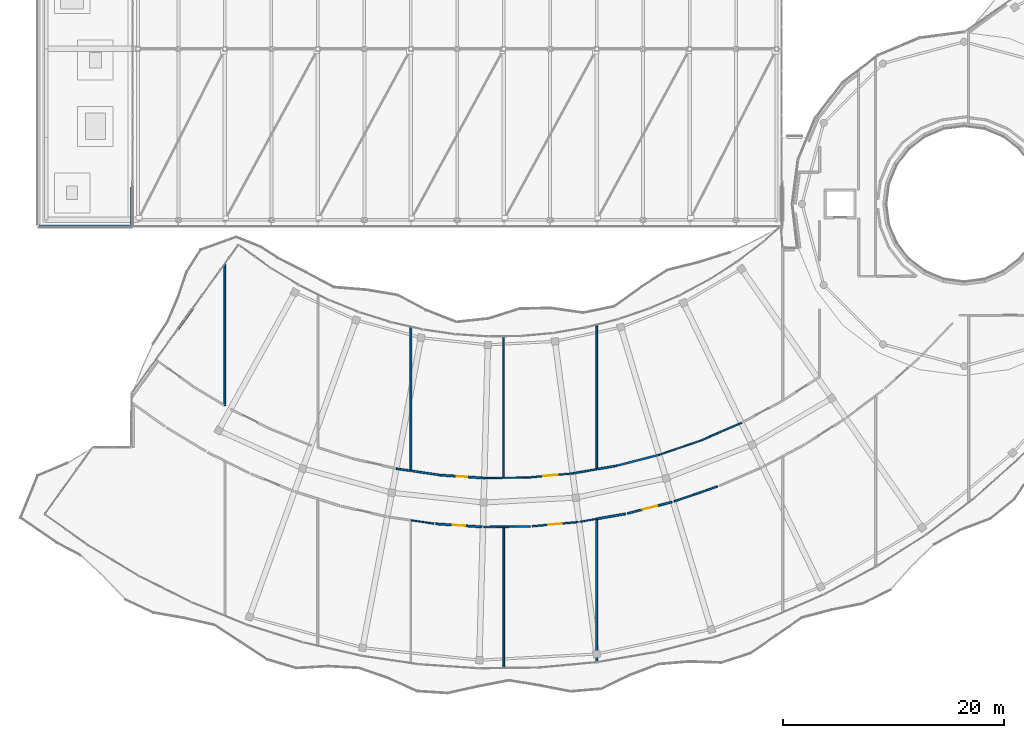
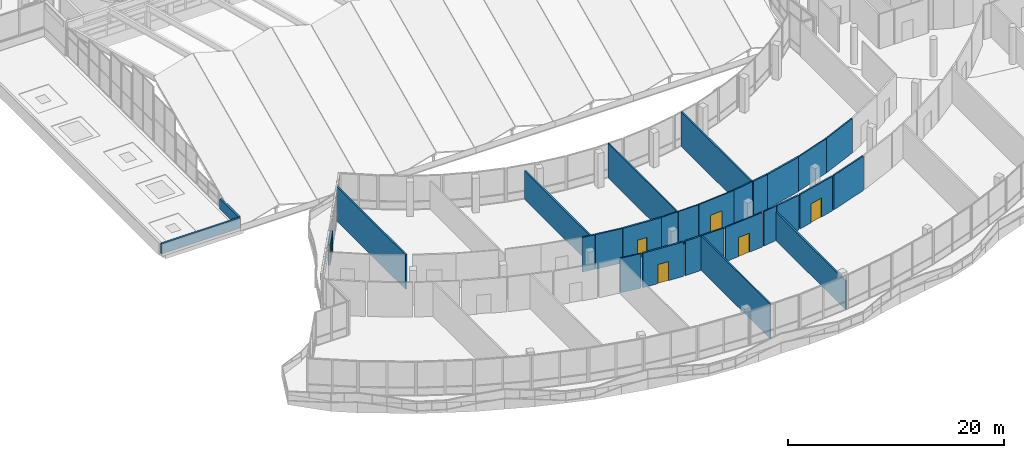
# One storey, part 160 of 184: 29 walls, 6 doors, 6 openings.
"""IFC4 building model written with IfcOpenShell, lengths in metres."""

from ifc_helpers import new_model, si_unit, direction, frame, frame_2d, origin, place, context, subcontext, project, spatial, rectangle, extrude, material, layer, layer_set, type_object, element, fill, save


model = new_model("IFC4")

# Units and contexts
model_context = context("Model", 3, precision=1e-05, world=origin(), true_north=direction((0.0, 1.0)))
body_context = subcontext(model_context, "Body", "Model", "MODEL_VIEW")
ifc_project = project(units=[si_unit("LENGTHUNIT", "METRE"), si_unit("AREAUNIT", "SQUARE_METRE"), si_unit("VOLUMEUNIT", "CUBIC_METRE"), si_unit("PLANEANGLEUNIT", "RADIAN"), si_unit("MASSUNIT", "GRAM", prefix="KILO")], contexts=[model_context])

# Site, building, storey
site_placement = place(None, origin())
site = spatial("IfcSite", under=ifc_project, at=site_placement, CompositionType="ELEMENT")
building_placement = place(site_placement, origin())
building = spatial("IfcBuilding", under=site, at=building_placement, Name="Selatvlak General Hospital", CompositionType="ELEMENT")
storey_placement = place(building_placement, frame((0.0, 0.0, 15.0)))
storey = spatial("IfcBuildingStorey", under=building, at=storey_placement, Name="L03", CompositionType="ELEMENT", Elevation=15.0)

# Wall, opening, door
ifc_material_1 = material(Name="Precast concrete C40/50 - white fair-faced", Category="concrete")
ifc_layer_1 = layer(ifc_material_1, 0.239990234375, Name="Precast concrete C40/50 - white fair-faced", Category="concrete")
ifc_layer_set_1 = layer_set([ifc_layer_1], Name="Precast concrete C40/50 - white fair-faced")
wall_type_1 = type_object("IfcWallType", Name="WALL-EW-04", PredefinedType="SOLIDWALL", material=ifc_layer_set_1)
wall_1_placement = place(storey_placement, frame((26.947021484375, 42.672119140625, 0.0), z_axis=(0.0, 0.0, 1.0), x_axis=(0.583485123331, 0.812123827289, 0.0)))
wall_1 = element("IfcWall", 1, at=wall_1_placement, inside=storey, type_object=wall_type_1, Name="L03 S-curve glazed balcony door frame 0386", PredefinedType="SOLIDWALL", context=body_context, shape_type="SweptSolid", body=[
    extrude(rectangle(XDim=2.300048828125, YDim=0.239990234375, at=frame_2d((1.14990234375, 0.0))), origin(), (0.0, 0.0, 1.0), 2.320068359375),
])
opening_1_placement = place(wall_1_placement, frame((0.35009765625, 0.0, 0.0)))
opening_1 = element("IfcOpeningElement", 2, at=opening_1_placement, cuts=wall_1, Name="Opening DE-05", PredefinedType="OPENING", context=body_context, shape_type="SweptSolid", body=[
    extrude(rectangle(XDim=1.60009765625, YDim=2.199951171875, at=frame_2d((0.800048828125, 1.10009765625))), frame((0.0, 0.1298828125, 0.0), z_axis=(0.0, -1.0, 0.0), x_axis=(1.0, 0.0, 0.0)), (0.0, 0.0, 1.0), 0.260009765625),
])
ifc_material_2 = material(Name="Anodised aluminium balcony double door", Category="aluminium")
door_type_1 = type_object("IfcDoorType", Name="DOOR-DE-05", OperationType="DOUBLE_DOOR_SINGLE_SWING", PredefinedType="DOOR", material=ifc_material_2)
door_1_placement = place(opening_1_placement, origin())
door_1 = element("IfcDoor", 3, at=door_1_placement, inside=storey, type_object=door_type_1, Name="L03 clinic balcony double door 28", OperationType="DOUBLE_DOOR_SINGLE_SWING", OverallHeight=2.199951171875, OverallWidth=1.60009765625, PredefinedType="DOOR", context=body_context, shape_type="SweptSolid", body=[
    extrude(rectangle(XDim=1.60009765625, YDim=2.199951171875, at=frame_2d((0.800048828125, 1.10009765625))), frame((0.0, 0.02490234375, 0.0), z_axis=(0.0, -1.0, 0.0), x_axis=(1.0, 0.0, 0.0)), (0.0, 0.0, 1.0), 0.050048828125),
])
fill(opening_1, door_1)

# Walls
ifc_layer_2 = layer(ifc_material_1, 0.199951171875, Name="Precast concrete C40/50 - white fair-faced", Category="concrete")
ifc_layer_set_2 = layer_set([ifc_layer_2], Name="Precast concrete C40/50 - white fair-faced")
wall_type_2 = type_object("IfcWallType", Name="WALL-PR-01", PredefinedType="PARAPET", material=ifc_layer_set_2)
wall_2_placement = place(storey_placement, frame((22.794921875, 52.0, 0.050048828125), z_axis=(0.0, 0.0, 1.0), x_axis=(-1.0, 0.0, 0.0)))
element("IfcWall", 4, at=wall_2_placement, inside=storey, type_object=wall_type_2, Name="L03 roof parapet upstand PAR-L03-029", PredefinedType="PARAPET", context=body_context, shape_type="SweptSolid", body=[
    extrude(rectangle(XDim=8.39501953125, YDim=0.199951171875, at=frame_2d((4.197509765625, 0.0))), origin(), (0.0, 0.0, 1.0), 1.14990234375),
])
wall_3_placement = place(storey_placement, frame((22.794921875, 55.54296875, 0.050048828125), z_axis=(0.0, 0.0, 1.0), x_axis=(0.0, -1.0, 0.0)))
element("IfcWall", 5, at=wall_3_placement, inside=storey, type_object=wall_type_2, Name="L03 roof parapet upstand PAR-L03-031", PredefinedType="PARAPET", context=body_context, shape_type="SweptSolid", body=[
    extrude(rectangle(XDim=3.43505859375, YDim=0.199951171875, at=frame_2d((1.717529296875, 0.0))), origin(), (0.0, 0.0, 1.0), 1.14990234375),
])
ifc_material_3 = material(Name="Acoustic gypsum stud partition")
ifc_layer_3 = layer(ifc_material_3, 0.179931640625, Name="Acoustic gypsum stud partition")
ifc_layer_set_3 = layer_set([ifc_layer_3], Name="Acoustic gypsum stud partition")
wall_type_3 = type_object("IfcWallType", Name="WALL-PT-01", PredefinedType="PARTITIONING", material=ifc_layer_set_3)
wall_4_placement = place(storey_placement, frame((48.0, 42.881103515625, 0.0), z_axis=(0.0, 0.0, 1.0), x_axis=(0.0, -1.0, 0.0)))
element("IfcWall", 6, at=wall_4_placement, inside=storey, type_object=wall_type_3, Name="L03 clinical partition PT-L03-1400", PredefinedType="PARTITIONING", context=body_context, shape_type="SweptSolid", body=[
    extrude(rectangle(XDim=12.9931640625, YDim=0.179931640625, at=frame_2d((6.49658203125, 0.0))), origin(), (0.0, 0.0, 1.0), 3.2099609375),
])

# Wall, opening, door
wall_5_placement = place(storey_placement, frame((50.26904296875, 25.093017578125, 0.0), z_axis=(0.0, 0.0, 1.0), x_axis=(0.997763106532, -0.066848958427, 0.0)))
wall_5 = element("IfcWall", 7, at=wall_5_placement, inside=storey, type_object=wall_type_3, Name="L03 clinical partition PT-L03-1405", PredefinedType="PARTITIONING", context=body_context, shape_type="SweptSolid", body=[
    extrude(rectangle(XDim=4.17431640625, YDim=0.179931640625, at=frame_2d((2.087158203125, 0.0))), origin(), (0.0, 0.0, 1.0), 3.89501953125),
])
opening_2_placement = place(wall_5_placement, frame((1.537109375, 0.0, 0.0)))
opening_2 = element("IfcOpeningElement", 8, at=opening_2_placement, cuts=wall_5, Name="Opening D-22", PredefinedType="OPENING", context=body_context, shape_type="SweptSolid", body=[
    extrude(rectangle(XDim=1.10009765625, YDim=2.14990234375, at=frame_2d((0.550048828125, 1.074951171875))), frame((0.0, 0.099853515625, 0.0), z_axis=(0.0, -1.0, 0.0), x_axis=(1.0, 0.0, 0.0)), (0.0, 0.0, 1.0), 0.199951171875),
])
ifc_material_4 = material(Name="Pharmacy security fire door")
door_type_2 = type_object("IfcDoorType", Name="DOOR-D-22", OperationType="NOTDEFINED", PredefinedType="DOOR", material=ifc_material_4)
door_2_placement = place(opening_2_placement, origin())
door_2 = element("IfcDoor", 9, at=door_2_placement, inside=storey, type_object=door_type_2, Name="L03 Oncology Aseptic Pharmacy 06 door", OperationType="SINGLE_SWING_LEFT", OverallHeight=2.14990234375, OverallWidth=1.10009765625, PredefinedType="DOOR", context=body_context, shape_type="SweptSolid", body=[
    extrude(rectangle(XDim=1.10009765625, YDim=2.14990234375, at=frame_2d((0.550048828125, 1.074951171875))), frame((0.0, 0.02490234375, 0.0), z_axis=(0.0, -1.0, 0.0), x_axis=(1.0, 0.0, 0.0)), (0.0, 0.0, 1.0), 0.050048828125),
])
fill(opening_2, door_2)

wall_6_placement = place(storey_placement, frame((54.64208984375, 29.22998046875, 0.0), z_axis=(0.0, 0.0, 1.0), x_axis=(-0.99776702154, 0.06679049878, 0.0)))
wall_6 = element("IfcWall", 10, at=wall_6_placement, inside=storey, type_object=wall_type_3, Name="L03 clinical partition PT-L03-1410", PredefinedType="PARTITIONING", context=body_context, shape_type="SweptSolid", body=[
    extrude(rectangle(XDim=3.9990234375, YDim=0.179931640625, at=frame_2d((1.99951171875, 0.0))), origin(), (0.0, 0.0, 1.0), 3.89501953125),
])
opening_3_placement = place(wall_6_placement, frame((1.52392578125, 0.0, 0.0)))
opening_3 = element("IfcOpeningElement", 11, at=opening_3_placement, cuts=wall_6, Name="Opening D-02", PredefinedType="OPENING", context=body_context, shape_type="SweptSolid", body=[
    extrude(rectangle(XDim=0.949951171875, YDim=2.10009765625, at=frame_2d((0.47509765625, 1.050048828125))), frame((0.0, 0.099853515625, 0.0), z_axis=(0.0, -1.0, 0.0), x_axis=(1.0, 0.0, 0.0)), (0.0, 0.0, 1.0), 0.199951171875),
])
ifc_material_5 = material(Name="Moisture-resistant en-suite door")
door_type_3 = type_object("IfcDoorType", Name="DOOR-D-02", OperationType="NOTDEFINED", PredefinedType="DOOR", material=ifc_material_5)
door_3_placement = place(opening_3_placement, origin())
door_3 = element("IfcDoor", 12, at=door_3_placement, inside=storey, type_object=door_type_3, Name="L03 Day Oncology Chemotherapy Lounge 07 door", OperationType="SINGLE_SWING_RIGHT", OverallHeight=2.10009765625, OverallWidth=0.949951171875, PredefinedType="DOOR", context=body_context, shape_type="SweptSolid", body=[
    extrude(rectangle(XDim=0.949951171875, YDim=2.10009765625, at=frame_2d((0.47509765625, 1.050048828125))), frame((0.0, 0.02490234375, 0.0), z_axis=(0.0, -1.0, 0.0), x_axis=(1.0, 0.0, 0.0)), (0.0, 0.0, 1.0), 0.050048828125),
])
fill(opening_3, door_3)

# Walls
wall_7_placement = place(storey_placement, frame((64.800048828125, 25.485107421875, 0.0), z_axis=(0.0, 0.0, 1.0), x_axis=(0.0, -1.0, 0.0)))
element("IfcWall", 13, at=wall_7_placement, inside=storey, type_object=wall_type_3, Name="L03 clinical partition PT-L03-1415", PredefinedType="PARTITIONING", context=body_context, shape_type="SweptSolid", body=[
    extrude(rectangle(XDim=12.89404296875, YDim=0.179931640625, at=frame_2d((6.447021484375, 0.0))), origin(), (0.0, 0.0, 1.0), 3.2099609375),
])
wall_8_placement = place(storey_placement, frame((64.800048828125, 25.5419921875, 0.0), z_axis=(0.0, 0.0, 1.0), x_axis=(0.985251758062, 0.171110996826, 0.0)))
element("IfcWall", 14, at=wall_8_placement, inside=storey, type_object=wall_type_3, Name="L03 clinical partition PT-L03-1420", PredefinedType="PARTITIONING", context=body_context, shape_type="SweptSolid", body=[
    extrude(rectangle(XDim=2.64111328125, YDim=0.179931640625, at=frame_2d((1.320556640625, 0.0))), origin(), (0.0, 0.0, 1.0), 3.89501953125),
])
wall_9_placement = place(storey_placement, frame((70.43310546875, 31.327880859375, 0.0), z_axis=(0.0, 0.0, 1.0), x_axis=(-0.968571543656, -0.248735129846, 0.0)))
element("IfcWall", 15, at=wall_9_placement, inside=storey, type_object=wall_type_3, Name="L03 clinical partition PT-L03-1430", PredefinedType="PARTITIONING", context=body_context, shape_type="SweptSolid", body=[
    extrude(rectangle(XDim=3.999755859375, YDim=0.179931640625, at=frame_2d((2.0, 0.0))), origin(), (0.0, 0.0, 1.0), 3.89501953125),
])
ifc_layer_4 = layer(ifc_material_3, 0.1650390625, Name="Acoustic gypsum stud partition")
ifc_layer_set_4 = layer_set([ifc_layer_4], Name="Acoustic gypsum stud partition")
wall_type_4 = type_object("IfcWallType", Name="WALL-PT-02", PredefinedType="PARTITIONING", material=ifc_layer_set_4)
wall_10_placement = place(storey_placement, frame((31.199951171875, 48.56591796875, 0.0), z_axis=(0.0, 0.0, 1.0), x_axis=(0.0, -1.0, 0.0)))
element("IfcWall", 16, at=wall_10_placement, inside=storey, type_object=wall_type_4, Name="L03 clinical partition PT-L03-1381", PredefinedType="PARTITIONING", context=body_context, shape_type="SweptSolid", body=[
    extrude(rectangle(XDim=12.791015625, YDim=0.1650390625, at=frame_2d((6.3955078125, 0.0))), origin(), (0.0, 0.0, 1.0), 3.89501953125),
])
wall_11_placement = place(storey_placement, frame((47.9140625, 29.90087890625, 0.0), z_axis=(0.0, 0.0, 1.0), x_axis=(-0.989333072423, 0.145671108357, 0.0)))
element("IfcWall", 17, at=wall_11_placement, inside=storey, type_object=wall_type_4, Name="L03 clinical partition PT-L03-1401", PredefinedType="PARTITIONING", context=body_context, shape_type="SweptSolid", body=[
    extrude(rectangle(XDim=1.230224609375, YDim=0.1650390625, at=frame_2d((0.615234375, 0.0))), origin(), (0.0, 0.0, 1.0), 3.89501953125),
])
wall_12_placement = place(storey_placement, frame((54.610107421875, 24.80908203125, 0.0), z_axis=(0.0, 0.0, 1.0), x_axis=(0.999917804939, 0.012821207702, 0.0)))
element("IfcWall", 18, at=wall_12_placement, inside=storey, type_object=wall_type_4, Name="L03 clinical partition PT-L03-1406", PredefinedType="PARTITIONING", context=body_context, shape_type="SweptSolid", body=[
    extrude(rectangle(XDim=1.7900390625, YDim=0.1650390625, at=frame_2d((0.89501953125, 0.0))), origin(), (0.0, 0.0, 1.0), 3.89501953125),
])
wall_13_placement = place(storey_placement, frame((50.652099609375, 29.4970703125, 0.0), z_axis=(0.0, 0.0, 1.0), x_axis=(-0.989313203243, 0.145805987148, 0.0)))
element("IfcWall", 19, at=wall_13_placement, inside=storey, type_object=wall_type_4, Name="L03 clinical partition PT-L03-1411", PredefinedType="PARTITIONING", context=body_context, shape_type="SweptSolid", body=[
    extrude(rectangle(XDim=2.6806640625, YDim=0.1650390625, at=frame_2d((1.34033203125, 0.0))), origin(), (0.0, 0.0, 1.0), 3.89501953125),
])
wall_14_placement = place(storey_placement, frame((64.800048828125, 43.06298828125, 0.0), z_axis=(0.0, 0.0, 1.0), x_axis=(0.0, -1.0, 0.0)))
element("IfcWall", 20, at=wall_14_placement, inside=storey, type_object=wall_type_4, Name="L03 clinical partition PT-L03-1416", PredefinedType="PARTITIONING", context=body_context, shape_type="SweptSolid", body=[
    extrude(rectangle(XDim=13.034912109375, YDim=0.1650390625, at=frame_2d((6.517578125, 0.0))), origin(), (0.0, 0.0, 1.0), 3.89501953125),
])

# Wall, opening, door
wall_15_placement = place(storey_placement, frame((67.573974609375, 26.030029296875, 0.0), z_axis=(0.0, 0.0, 1.0), x_axis=(0.968581545525, 0.248696179443, 0.0)))
wall_15 = element("IfcWall", 21, at=wall_15_placement, inside=storey, type_object=wall_type_4, Name="L03 clinical partition PT-L03-1421", PredefinedType="PARTITIONING", context=body_context, shape_type="SweptSolid", body=[
    extrude(rectangle(XDim=4.174072265625, YDim=0.1650390625, at=frame_2d((2.0869140625, 0.0))), origin(), (0.0, 0.0, 1.0), 3.89501953125),
])
opening_4_placement = place(wall_15_placement, frame((1.412109375, 0.0, 0.0)))
opening_4 = element("IfcOpeningElement", 22, at=opening_4_placement, cuts=wall_15, Name="Opening D-10", PredefinedType="OPENING", context=body_context, shape_type="SweptSolid", body=[
    extrude(rectangle(XDim=1.35009765625, YDim=2.14990234375, at=frame_2d((0.675048828125, 1.074951171875))), frame((0.0, 0.092529296875, 0.0), z_axis=(0.0, -1.0, 0.0), x_axis=(1.0, 0.0, 0.0)), (0.0, 0.0, 1.0), 0.18505859375),
])
ifc_material_6 = material(Name="Single patient bed door")
door_type_4 = type_object("IfcDoorType", Name="DOOR-D-10", OperationType="NOTDEFINED", PredefinedType="DOOR", material=ifc_material_6)
door_4_placement = place(opening_4_placement, origin())
door_4 = element("IfcDoor", 23, at=door_4_placement, inside=storey, type_object=door_type_4, Name="L03 Day Oncology Chemotherapy Lounge 10 door", OperationType="SINGLE_SWING_LEFT", OverallHeight=2.14990234375, OverallWidth=1.35009765625, PredefinedType="DOOR", context=body_context, shape_type="SweptSolid", body=[
    extrude(rectangle(XDim=1.35009765625, YDim=2.14990234375, at=frame_2d((0.675048828125, 1.074951171875))), frame((0.0, 0.02490234375, 0.0), z_axis=(0.0, -1.0, 0.0), x_axis=(1.0, 0.0, 0.0)), (0.0, 0.0, 1.0), 0.050048828125),
])
fill(opening_4, door_4)

# Walls
wall_16_placement = place(storey_placement, frame((66.55908203125, 30.3330078125, 0.0), z_axis=(0.0, 0.0, 1.0), x_axis=(-0.985329214742, -0.170664403367, 0.0)))
element("IfcWall", 24, at=wall_16_placement, inside=storey, type_object=wall_type_4, Name="L03 clinical partition PT-L03-1431", PredefinedType="PARTITIONING", context=body_context, shape_type="SweptSolid", body=[
    extrude(rectangle(XDim=1.705078125, YDim=0.1650390625, at=frame_2d((0.8525390625, 0.0))), origin(), (0.0, 0.0, 1.0), 3.89501953125),
])
ifc_layer_5 = layer(ifc_material_3, 0.14990234375, Name="Acoustic gypsum stud partition")
ifc_layer_set_5 = layer_set([ifc_layer_5], Name="Acoustic gypsum stud partition")
wall_type_5 = type_object("IfcWallType", Name="WALL-PT-03", PredefinedType="PARTITIONING", material=ifc_layer_set_5)
wall_17_placement = place(storey_placement, frame((56.39990234375, 24.7529296875, 0.0), z_axis=(0.0, 0.0, 1.0), x_axis=(0.0, -1.0, 0.0)))
element("IfcWall", 25, at=wall_17_placement, inside=storey, type_object=wall_type_5, Name="L03 clinical partition PT-L03-1407", PredefinedType="PARTITIONING", context=body_context, shape_type="SweptSolid", body=[
    extrude(rectangle(XDim=12.68896484375, YDim=0.14990234375, at=frame_2d((6.344482421875, 0.0))), origin(), (0.0, 0.0, 1.0), 3.89501953125),
])
wall_18_placement = place(storey_placement, frame((56.39990234375, 24.83203125, 0.0), z_axis=(0.0, 0.0, 1.0), x_axis=(0.999920614738, 0.012600167566, 0.0)))
element("IfcWall", 26, at=wall_18_placement, inside=storey, type_object=wall_type_5, Name="L03 clinical partition PT-L03-1412", PredefinedType="PARTITIONING", context=body_context, shape_type="SweptSolid", body=[
    extrude(rectangle(XDim=2.38330078125, YDim=0.14990234375, at=frame_2d((1.191650390625, 0.0))), origin(), (0.0, 0.0, 1.0), 3.89501953125),
])
wall_19_placement = place(storey_placement, frame((64.800048828125, 30.028076171875, 0.0), z_axis=(0.0, 0.0, 1.0), x_axis=(-0.985196357546, -0.17142968552, 0.0)))
element("IfcWall", 27, at=wall_19_placement, inside=storey, type_object=wall_type_5, Name="L03 clinical partition PT-L03-1417", PredefinedType="PARTITIONING", context=body_context, shape_type="SweptSolid", body=[
    extrude(rectangle(XDim=2.211669921875, YDim=0.14990234375, at=frame_2d((1.10595703125, 0.0))), origin(), (0.0, 0.0, 1.0), 3.89501953125),
])
wall_20_placement = place(storey_placement, frame((71.783935546875, 27.118896484375, 0.0), z_axis=(0.0, 0.0, 1.0), x_axis=(0.945826425694, 0.324672715913, 0.0)))
element("IfcWall", 28, at=wall_20_placement, inside=storey, type_object=wall_type_5, Name="L03 clinical partition PT-L03-1422", PredefinedType="PARTITIONING", context=body_context, shape_type="SweptSolid", body=[
    extrude(rectangle(XDim=4.174072265625, YDim=0.14990234375, at=frame_2d((2.0869140625, 0.0))), origin(), (0.0, 0.0, 1.0), 3.89501953125),
])
ifc_material_7 = material(Name="Moisture-resistant clinical partition")
ifc_layer_6 = layer(ifc_material_7, 0.135009765625, Name="Moisture-resistant clinical partition")
ifc_layer_set_6 = layer_set([ifc_layer_6], Name="Moisture-resistant clinical partition")
wall_type_6 = type_object("IfcWallType", Name="WALL-PT-04", PredefinedType="PARTITIONING", material=ifc_layer_set_6)
wall_21_placement = place(storey_placement, frame((56.39990234375, 42.02001953125, 0.0), z_axis=(0.0, 0.0, 1.0), x_axis=(0.0, -1.0, 0.0)))
element("IfcWall", 29, at=wall_21_placement, inside=storey, type_object=wall_type_6, Name="L03 clinical partition PT-L03-1408", PredefinedType="PARTITIONING", context=body_context, shape_type="SweptSolid", body=[
    extrude(rectangle(XDim=12.76806640625, YDim=0.135009765625, at=frame_2d((6.384033203125, 0.0))), origin(), (0.0, 0.0, 1.0), 3.89501953125),
])

# Wall, opening, door
wall_22_placement = place(storey_placement, frame((58.958984375, 24.87109375, 0.0), z_axis=(0.0, 0.0, 1.0), x_axis=(0.995736396847, 0.092244392753, 0.0)))
wall_22 = element("IfcWall", 30, at=wall_22_placement, inside=storey, type_object=wall_type_6, Name="L03 clinical partition PT-L03-1413", PredefinedType="PARTITIONING", context=body_context, shape_type="SweptSolid", body=[
    extrude(rectangle(XDim=4.173828125, YDim=0.135009765625, at=frame_2d((2.0869140625, 0.0))), origin(), (0.0, 0.0, 1.0), 3.89501953125),
])
opening_5_placement = place(wall_22_placement, frame((1.487060546875, 0.0, 0.0)))
opening_5 = element("IfcOpeningElement", 31, at=opening_5_placement, cuts=wall_22, Name="Opening D-07", PredefinedType="OPENING", context=body_context, shape_type="SweptSolid", body=[
    extrude(rectangle(XDim=1.199951171875, YDim=2.14990234375, at=frame_2d((0.60009765625, 1.074951171875))), frame((0.0, 0.077392578125, 0.0), z_axis=(0.0, -1.0, 0.0), x_axis=(1.0, 0.0, 0.0)), (0.0, 0.0, 1.0), 0.155029296875),
])
ifc_material_8 = material(Name="Plant and store fire door")
door_type_5 = type_object("IfcDoorType", Name="DOOR-D-07", OperationType="NOTDEFINED", PredefinedType="DOOR", material=ifc_material_8)
door_5_placement = place(opening_5_placement, origin())
door_5 = element("IfcDoor", 32, at=door_5_placement, inside=storey, type_object=door_type_5, Name="L03 Renal Haemodialysis Suite 08 door", OperationType="SINGLE_SWING_LEFT", OverallHeight=2.14990234375, OverallWidth=1.199951171875, PredefinedType="DOOR", context=body_context, shape_type="SweptSolid", body=[
    extrude(rectangle(XDim=1.199951171875, YDim=2.14990234375, at=frame_2d((0.60009765625, 1.074951171875))), frame((0.0, 0.02490234375, 0.0), z_axis=(0.0, -1.0, 0.0), x_axis=(1.0, 0.0, 0.0)), (0.0, 0.0, 1.0), 0.050048828125),
])
fill(opening_5, door_5)

wall_23_placement = place(storey_placement, frame((62.62109375, 29.64892578125, 0.0), z_axis=(0.0, 0.0, 1.0), x_axis=(-0.99575902483, -0.091999806904, 0.0)))
wall_23 = element("IfcWall", 33, at=wall_23_placement, inside=storey, type_object=wall_type_6, Name="L03 clinical partition PT-L03-1418", PredefinedType="PARTITIONING", context=body_context, shape_type="SweptSolid", body=[
    extrude(rectangle(XDim=3.9990234375, YDim=0.135009765625, at=frame_2d((1.99951171875, 0.0))), origin(), (0.0, 0.0, 1.0), 3.89501953125),
])
opening_6_placement = place(wall_23_placement, frame((1.34912109375, 0.0, 0.0)))
opening_6 = element("IfcOpeningElement", 34, at=opening_6_placement, cuts=wall_23, Name="Opening D-09", PredefinedType="OPENING", context=body_context, shape_type="SweptSolid", body=[
    extrude(rectangle(XDim=1.300048828125, YDim=2.14990234375, at=frame_2d((0.64990234375, 1.074951171875))), frame((0.0, 0.077392578125, 0.0), z_axis=(0.0, -1.0, 0.0), x_axis=(1.0, 0.0, 0.0)), (0.0, 0.0, 1.0), 0.155029296875),
])
ifc_material_9 = material(Name="Outpatient procedure door")
door_type_6 = type_object("IfcDoorType", Name="DOOR-D-09", OperationType="NOTDEFINED", PredefinedType="DOOR", material=ifc_material_9)
door_6_placement = place(opening_6_placement, origin())
door_6 = element("IfcDoor", 35, at=door_6_placement, inside=storey, type_object=door_type_6, Name="L03 Oncology Aseptic Pharmacy 09 door", OperationType="SINGLE_SWING_RIGHT", OverallHeight=2.14990234375, OverallWidth=1.300048828125, PredefinedType="DOOR", context=body_context, shape_type="SweptSolid", body=[
    extrude(rectangle(XDim=1.300048828125, YDim=2.14990234375, at=frame_2d((0.64990234375, 1.074951171875))), frame((0.0, 0.02490234375, 0.0), z_axis=(0.0, -1.0, 0.0), x_axis=(1.0, 0.0, 0.0)), (0.0, 0.0, 1.0), 0.050048828125),
])
fill(opening_6, door_6)

# Walls
wall_24_placement = place(storey_placement, frame((77.87890625, 34.220947265625, 0.0), z_axis=(0.0, 0.0, 1.0), x_axis=(-0.916925298724, -0.399058888586, 0.0)))
element("IfcWall", 36, at=wall_24_placement, inside=storey, type_object=wall_type_6, Name="L03 clinical partition PT-L03-1428", PredefinedType="PARTITIONING", context=body_context, shape_type="SweptSolid", body=[
    extrude(rectangle(XDim=3.996826171875, YDim=0.135009765625, at=frame_2d((1.99853515625, 0.0))), origin(), (0.0, 0.0, 1.0), 3.89501953125),
])
ifc_layer_7 = layer(ifc_material_7, 0.1201171875, Name="Moisture-resistant clinical partition")
ifc_layer_set_7 = layer_set([ifc_layer_7], Name="Moisture-resistant clinical partition")
wall_type_7 = type_object("IfcWallType", Name="WALL-PT-05", PredefinedType="PARTITIONING", material=ifc_layer_set_7)
wall_25_placement = place(storey_placement, frame((48.055908203125, 25.412109375, 0.0), z_axis=(0.0, 0.0, 1.0), x_axis=(0.989346092184, -0.145582656525, 0.0)))
element("IfcWall", 37, at=wall_25_placement, inside=storey, type_object=wall_type_7, Name="L03 clinical partition PT-L03-1404", PredefinedType="PARTITIONING", context=body_context, shape_type="SweptSolid", body=[
    extrude(rectangle(XDim=2.06103515625, YDim=0.1201171875, at=frame_2d((1.030517578125, 0.0))), origin(), (0.0, 0.0, 1.0), 3.89501953125),
])
wall_26_placement = place(storey_placement, frame((56.39990234375, 29.251953125, 0.0), z_axis=(0.0, 0.0, 1.0), x_axis=(-0.999921884154, -0.012499023552, 0.0)))
element("IfcWall", 38, at=wall_26_placement, inside=storey, type_object=wall_type_7, Name="L03 clinical partition PT-L03-1409", PredefinedType="PARTITIONING", context=body_context, shape_type="SweptSolid", body=[
    extrude(rectangle(XDim=1.758056640625, YDim=0.1201171875, at=frame_2d((0.87890625, 0.0))), origin(), (0.0, 0.0, 1.0), 3.89501953125),
])
wall_27_placement = place(storey_placement, frame((63.2900390625, 25.280029296875, 0.0), z_axis=(0.0, 0.0, 1.0), x_axis=(0.985282990006, 0.170931066819, 0.0)))
element("IfcWall", 39, at=wall_27_placement, inside=storey, type_object=wall_type_7, Name="L03 clinical partition PT-L03-1414", PredefinedType="PARTITIONING", context=body_context, shape_type="SweptSolid", body=[
    extrude(rectangle(XDim=1.532470703125, YDim=0.1201171875, at=frame_2d((0.76611328125, 0.0))), origin(), (0.0, 0.0, 1.0), 3.89501953125),
])
wall_28_placement = place(storey_placement, frame((58.638916015625, 29.281005859375, 0.0), z_axis=(0.0, 0.0, 1.0), x_axis=(-0.999916773113, -0.012901428128, 0.0)))
element("IfcWall", 40, at=wall_28_placement, inside=storey, type_object=wall_type_7, Name="L03 clinical partition PT-L03-1419", PredefinedType="PARTITIONING", context=body_context, shape_type="SweptSolid", body=[
    extrude(rectangle(XDim=2.17626953125, YDim=0.1201171875, at=frame_2d((1.088134765625, 0.0))), origin(), (0.0, 0.0, 1.0), 3.89501953125),
])
wall_29_placement = place(storey_placement, frame((74.214111328125, 32.6259765625, 0.0), z_axis=(0.0, 0.0, 1.0), x_axis=(-0.945811498944, -0.324716196803, 0.0)))
element("IfcWall", 41, at=wall_29_placement, inside=storey, type_object=wall_type_7, Name="L03 clinical partition PT-L03-1429", PredefinedType="PARTITIONING", context=body_context, shape_type="SweptSolid", body=[
    extrude(rectangle(XDim=3.99755859375, YDim=0.1201171875, at=frame_2d((1.998779296875, 0.0))), origin(), (0.0, 0.0, 1.0), 3.89501953125),
])

save(model, "model.ifc")
